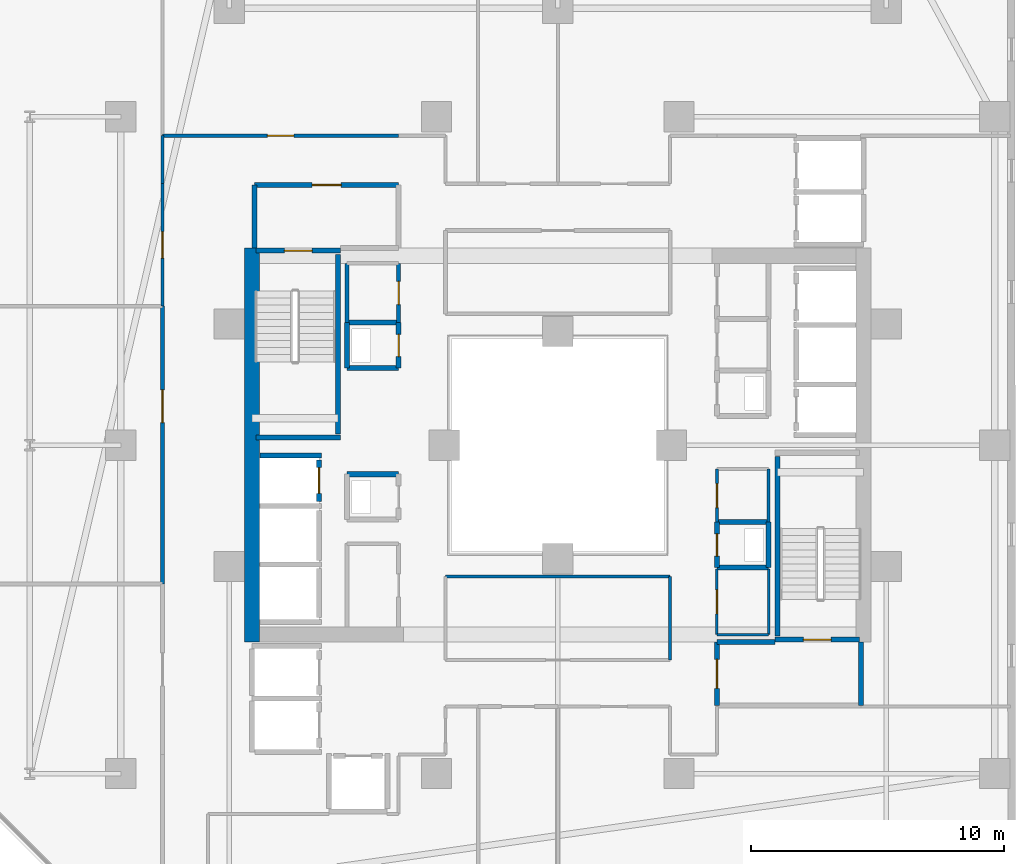
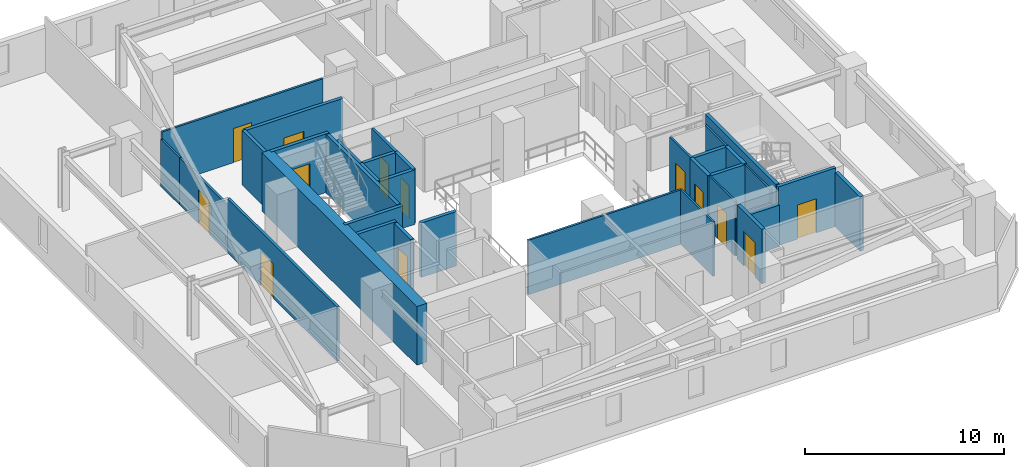
# One storey, part 22 of 31: 35 walls, 13 doors, 13 openings.
"""IFC4 building model written with IfcOpenShell, lengths in metres."""

from ifc_helpers import new_model, si_unit, direction, frame, frame_2d, origin, place, context, subcontext, project, spatial, rectangle, extrude, material, layer, layer_set, type_object, element, fill, save


model = new_model("IFC4")

# Units and contexts
model_context = context("Model", 3, precision=1e-05, world=origin(), true_north=direction((0.0, 1.0)))
body_context = subcontext(model_context, "Body", "Model", "MODEL_VIEW")
ifc_project = project(units=[si_unit("LENGTHUNIT", "METRE"), si_unit("AREAUNIT", "SQUARE_METRE"), si_unit("VOLUMEUNIT", "CUBIC_METRE"), si_unit("PLANEANGLEUNIT", "RADIAN"), si_unit("MASSUNIT", "GRAM", prefix="KILO")], contexts=[model_context])

# Site, building, storey
site_placement = place(None, origin())
site = spatial("IfcSite", under=ifc_project, at=site_placement, CompositionType="ELEMENT")
building_placement = place(site_placement, origin())
building = spatial("IfcBuilding", under=site, at=building_placement, Name="Thornwick Lancets Civic Towers", CompositionType="ELEMENT")
storey_placement = place(building_placement, frame((0.0, 0.0, 87.300048828125)))
storey = spatial("IfcBuildingStorey", under=building, at=storey_placement, Name="L22", CompositionType="ELEMENT", Elevation=87.300048828125)

# Wall, opening, door
ifc_material_1 = material(Name="Concrete blockwork C40/50", Category="masonry")
ifc_layer_1 = layer(ifc_material_1, 0.199951171875, Name="Concrete blockwork C40/50")
ifc_layer_set_1 = layer_set([ifc_layer_1], Name="Concrete blockwork C40/50")
wall_type_1 = type_object("IfcWallType", Name="WALL_COMP_200", PredefinedType="STANDARD", material=ifc_layer_set_1)
wall_1_placement = place(storey_placement, frame((79.050048828125, 24.780029296875, 0.0), z_axis=(0.0, 0.0, 1.0), x_axis=(0.0, 1.0, 0.0)))
wall_1 = element("IfcWall", 1, at=wall_1_placement, inside=storey, type_object=wall_type_1, Name="L22 Hoistway Front Wall FL-B2", PredefinedType="STANDARD", context=body_context, shape_type="SweptSolid", body=[
    extrude(rectangle(XDim=1.639892578125, YDim=0.199951171875, at=frame_2d((0.81982421875, 0.0))), origin(), (0.0, 0.0, 1.0), 3.33984375),
])
opening_1_placement = place(wall_1_placement, frame((0.31005859375, 0.0, 0.0)))
opening_1 = element("IfcOpeningElement", 2, at=opening_1_placement, cuts=wall_1, Name="Opening LD-FL-B2", PredefinedType="OPENING", context=body_context, shape_type="SweptSolid", body=[
    extrude(rectangle(XDim=1.02001953125, YDim=2.06005859375, at=frame_2d((0.510009765625, 1.030029296875))), frame((0.0, 0.10986328125, 0.0), z_axis=(0.0, -1.0, 0.0), x_axis=(1.0, 0.0, 0.0)), (0.0, 0.0, 1.0), 0.219970703125),
])
ifc_material_2 = material(Name="Brushed bronze stainless steel", Category="steel")
door_type_1 = type_object("IfcDoorType", Name="DOOR_LIFT_SLIDE", OperationType="SLIDING_TO_LEFT", PredefinedType="DOOR", material=ifc_material_2)
door_1_placement = place(opening_1_placement, origin())
door_1 = element("IfcDoor", 3, at=door_1_placement, inside=storey, type_object=door_type_1, Name="L22 Sliding Lift Landing Door LD-FL-B2", OperationType="SLIDING_TO_LEFT", OverallHeight=2.06005859375, OverallWidth=1.02001953125, PredefinedType="DOOR", context=body_context, shape_type="SweptSolid", body=[
    extrude(rectangle(XDim=1.02001953125, YDim=2.06005859375, at=frame_2d((0.510009765625, 1.030029296875))), frame((0.0, 0.02490234375, 0.0), z_axis=(0.0, -1.0, 0.0), x_axis=(1.0, 0.0, 0.0)), (0.0, 0.0, 1.0), 0.050048828125),
])
fill(opening_1, door_1)

# Walls
wall_2_placement = place(storey_placement, frame((76.7119140625, 26.60009765625, 0.0), z_axis=(0.0, 0.0, 1.0), x_axis=(1.0, 0.0, 0.0)))
element("IfcWall", 4, at=wall_2_placement, inside=storey, type_object=wall_type_1, Name="L22 Hoistway Shaft Wall FL-B2 N", PredefinedType="STANDARD", context=body_context, shape_type="SweptSolid", body=[
    extrude(rectangle(XDim=2.43603515625, YDim=0.199951171875, at=frame_2d((1.218017578125, 0.0))), origin(), (0.0, 0.0, 1.0), 3.33984375),
])
wall_3_placement = place(storey_placement, frame((100.5, 16.699951171875, 0.0), z_axis=(0.0, 0.0, 1.0), x_axis=(0.0, 1.0, 0.0)))
element("IfcWall", 5, at=wall_3_placement, inside=storey, type_object=wall_type_1, Name="L22 Partition L22-B-FFLOB1 E2", PredefinedType="STANDARD", context=body_context, shape_type="SweptSolid", body=[
    extrude(rectangle(XDim=2.5, YDim=0.199951171875, at=frame_2d((1.25, 0.0))), origin(), (0.0, 0.0, 1.0), 3.33984375),
])
wall_4_placement = place(storey_placement, frame((97.10009765625, 19.199951171875, 0.0), z_axis=(0.0, 0.0, 1.0), x_axis=(-1.0, 0.0, 0.0)))
element("IfcWall", 6, at=wall_4_placement, inside=storey, type_object=wall_type_1, Name="L22 Partition L22-B-FFLOB1 E3", PredefinedType="STANDARD", context=body_context, shape_type="SweptSolid", body=[
    extrude(rectangle(XDim=2.300048828125, YDim=0.199951171875, at=frame_2d((1.14990234375, 0.0))), origin(), (0.0, 0.0, 1.0), 2.544921875),
])

# Wall, opening, door
wall_5_placement = place(storey_placement, frame((94.800048828125, 19.199951171875, 0.0), z_axis=(0.0, 0.0, 1.0), x_axis=(0.0, -1.0, 0.0)))
wall_5 = element("IfcWall", 7, at=wall_5_placement, inside=storey, type_object=wall_type_1, Name="L22 Partition L22-B-FFLOB1 E4", PredefinedType="STANDARD", context=body_context, shape_type="SweptSolid", body=[
    extrude(rectangle(XDim=2.5, YDim=0.199951171875, at=frame_2d((1.25, 0.0))), origin(), (0.0, 0.0, 1.0), 3.33984375),
])
opening_2_placement = place(wall_5_placement, frame((0.675048828125, 0.0, 0.0)))
opening_2 = element("IfcOpeningElement", 8, at=opening_2_placement, cuts=wall_5, Name="Opening D-L22-1019", PredefinedType="OPENING", context=body_context, shape_type="SweptSolid", body=[
    extrude(rectangle(XDim=1.14990234375, YDim=2.10009765625, at=frame_2d((0.574951171875, 1.050048828125))), frame((0.0, 0.10986328125, 0.0), z_axis=(0.0, -1.0, 0.0), x_axis=(1.0, 0.0, 0.0)), (0.0, 0.0, 1.0), 0.219970703125),
])
ifc_material_3 = material(Name="Glazed fire-resisting steel", Category="steel")
door_type_2 = type_object("IfcDoorType", Name="DOOR_LOBBY_FD60", OperationType="NOTDEFINED", PredefinedType="DOOR", material=ifc_material_3)
door_2_placement = place(opening_2_placement, origin())
door_2 = element("IfcDoor", 9, at=door_2_placement, inside=storey, type_object=door_type_2, Name="L22 East Firefighting Lobby 1 Door", OperationType="SINGLE_SWING_RIGHT", OverallHeight=2.10009765625, OverallWidth=1.14990234375, PredefinedType="DOOR", context=body_context, shape_type="SweptSolid", body=[
    extrude(rectangle(XDim=1.14990234375, YDim=2.10009765625, at=frame_2d((0.574951171875, 1.050048828125))), frame((0.0, 0.02490234375, 0.0), z_axis=(0.0, -1.0, 0.0), x_axis=(1.0, 0.0, 0.0)), (0.0, 0.0, 1.0), 0.050048828125),
])
fill(opening_2, door_2)

wall_6_placement = place(storey_placement, frame((82.199951171875, 37.300048828125, 0.0), z_axis=(0.0, 0.0, 1.0), x_axis=(-1.0, 0.0, 0.0)))
wall_6 = element("IfcWall", 10, at=wall_6_placement, inside=storey, type_object=wall_type_1, Name="L22 Partition L22-B-FFLOB2 E3", PredefinedType="STANDARD", context=body_context, shape_type="SweptSolid", body=[
    extrude(rectangle(XDim=5.699951171875, YDim=0.199951171875, at=frame_2d((2.85009765625, 0.0))), origin(), (0.0, 0.0, 1.0), 3.33984375),
])
opening_3_placement = place(wall_6_placement, frame((2.27490234375, 0.0, 0.0)))
opening_3 = element("IfcOpeningElement", 11, at=opening_3_placement, cuts=wall_6, Name="Opening D-L22-1020", PredefinedType="OPENING", context=body_context, shape_type="SweptSolid", body=[
    extrude(rectangle(XDim=1.14990234375, YDim=2.10009765625, at=frame_2d((0.574951171875, 1.050048828125))), frame((0.0, 0.10986328125, 0.0), z_axis=(0.0, -1.0, 0.0), x_axis=(1.0, 0.0, 0.0)), (0.0, 0.0, 1.0), 0.219970703125),
])
door_3_placement = place(opening_3_placement, origin())
door_3 = element("IfcDoor", 12, at=door_3_placement, inside=storey, type_object=door_type_2, Name="L22 West Firefighting Lobby 2 Door", OperationType="SINGLE_SWING_LEFT", OverallHeight=2.10009765625, OverallWidth=1.14990234375, PredefinedType="DOOR", context=body_context, shape_type="SweptSolid", body=[
    extrude(rectangle(XDim=1.14990234375, YDim=2.10009765625, at=frame_2d((0.574951171875, 1.050048828125))), frame((0.0, 0.02490234375, 0.0), z_axis=(0.0, -1.0, 0.0), x_axis=(1.0, 0.0, 0.0)), (0.0, 0.0, 1.0), 0.050048828125),
])
fill(opening_3, door_3)

# Walls
wall_7_placement = place(storey_placement, frame((76.5, 37.300048828125, 0.0), z_axis=(0.0, 0.0, 1.0), x_axis=(0.0, -1.0, 0.0)))
element("IfcWall", 13, at=wall_7_placement, inside=storey, type_object=wall_type_1, Name="L22 Partition L22-B-FFLOB2 E4", PredefinedType="STANDARD", context=body_context, shape_type="SweptSolid", body=[
    extrude(rectangle(XDim=2.5, YDim=0.199951171875, at=frame_2d((1.25, 0.0))), origin(), (0.0, 0.0, 1.0), 3.33984375),
])
wall_8_placement = place(storey_placement, frame((94.800048828125, 22.14990234375, 0.0), z_axis=(0.0, 0.0, 1.0), x_axis=(1.0, 0.0, 0.0)))
element("IfcWall", 14, at=wall_8_placement, inside=storey, type_object=wall_type_1, Name="L22 Partition L22-B-RISER1 E1", PredefinedType="STANDARD", context=body_context, shape_type="SweptSolid", body=[
    extrude(rectangle(XDim=2.050048828125, YDim=0.199951171875, at=frame_2d((1.02490234375, 0.0))), origin(), (0.0, 0.0, 1.0), 3.33984375),
])
wall_9_placement = place(storey_placement, frame((96.85009765625, 22.14990234375, 0.0), z_axis=(0.0, 0.0, 1.0), x_axis=(0.0, 1.0, 0.0)))
element("IfcWall", 15, at=wall_9_placement, inside=storey, type_object=wall_type_1, Name="L22 Partition L22-B-RISER1 E2", PredefinedType="STANDARD", context=body_context, shape_type="SweptSolid", body=[
    extrude(rectangle(XDim=1.800048828125, YDim=0.199951171875, at=frame_2d((0.89990234375, 0.0))), origin(), (0.0, 0.0, 1.0), 3.33984375),
])
wall_10_placement = place(storey_placement, frame((96.85009765625, 23.949951171875, 0.0), z_axis=(0.0, 0.0, 1.0), x_axis=(-1.0, 0.0, 0.0)))
element("IfcWall", 16, at=wall_10_placement, inside=storey, type_object=wall_type_1, Name="L22 Partition L22-B-RISER1 E3", PredefinedType="STANDARD", context=body_context, shape_type="SweptSolid", body=[
    extrude(rectangle(XDim=2.050048828125, YDim=0.199951171875, at=frame_2d((1.02490234375, 0.0))), origin(), (0.0, 0.0, 1.0), 3.33984375),
])

# Wall, opening, door
wall_11_placement = place(storey_placement, frame((94.800048828125, 23.949951171875, 0.0), z_axis=(0.0, 0.0, 1.0), x_axis=(0.0, -1.0, 0.0)))
wall_11 = element("IfcWall", 17, at=wall_11_placement, inside=storey, type_object=wall_type_1, Name="L22 Partition L22-B-RISER1 E4", PredefinedType="STANDARD", context=body_context, shape_type="SweptSolid", body=[
    extrude(rectangle(XDim=1.800048828125, YDim=0.199951171875, at=frame_2d((0.89990234375, 0.0))), origin(), (0.0, 0.0, 1.0), 3.33984375),
])
opening_4_placement = place(wall_11_placement, frame((0.4599609375, 0.0, 0.0)))
opening_4 = element("IfcOpeningElement", 18, at=opening_4_placement, cuts=wall_11, Name="Opening D-L22-1022", PredefinedType="OPENING", context=body_context, shape_type="SweptSolid", body=[
    extrude(rectangle(XDim=0.8798828125, YDim=2.0400390625, at=frame_2d((0.43994140625, 1.02001953125))), frame((0.0, 0.10986328125, 0.0), z_axis=(0.0, -1.0, 0.0), x_axis=(1.0, 0.0, 0.0)), (0.0, 0.0, 1.0), 0.219970703125),
])
ifc_material_4 = material(Name="Steel riser access doorset", Category="steel")
door_type_3 = type_object("IfcDoorType", Name="DOOR_RISER_850", OperationType="NOTDEFINED", PredefinedType="DOOR", material=ifc_material_4)
door_4_placement = place(opening_4_placement, origin())
door_4 = element("IfcDoor", 19, at=door_4_placement, inside=storey, type_object=door_type_3, Name="L22 East Electrical Riser 1 Door", OperationType="SINGLE_SWING_LEFT", OverallHeight=2.0400390625, OverallWidth=0.8798828125, PredefinedType="DOOR", context=body_context, shape_type="SweptSolid", body=[
    extrude(rectangle(XDim=0.8798828125, YDim=2.0400390625, at=frame_2d((0.43994140625, 1.02001953125))), frame((0.0, 0.02490234375, 0.0), z_axis=(0.0, -1.0, 0.0), x_axis=(1.0, 0.0, 0.0)), (0.0, 0.0, 1.0), 0.050048828125),
])
fill(opening_4, door_4)

# Walls
for number, where, z_axis, x_axis, name in (
    (20, (82.199951171875, 25.85009765625, 0.0), (0.0, 0.0, 1.0), (-1.0, 0.0, 0.0), "L22 Partition L22-B-DUCT2 E3"),
    (21, (80.14990234375, 30.050048828125, 0.0), (0.0, 0.0, 1.0), (1.0, 0.0, 0.0), "L22 Partition L22-B-RISER2 E1"),
):
    element("IfcWall", number, at=place(storey_placement, frame(where, z_axis=z_axis, x_axis=x_axis)), inside=storey, type_object=wall_type_1, Name=name, PredefinedType="STANDARD", context=body_context, shape_type="SweptSolid", body=[
        extrude(rectangle(XDim=2.050048828125, YDim=0.199951171875, at=frame_2d((1.02490234375, 0.0))), origin(), (0.0, 0.0, 1.0), 3.33984375),
    ])

# Wall, opening, door
wall_12_placement = place(storey_placement, frame((82.199951171875, 30.050048828125, 0.0), z_axis=(0.0, 0.0, 1.0), x_axis=(0.0, 1.0, 0.0)))
wall_12 = element("IfcWall", 22, at=wall_12_placement, inside=storey, type_object=wall_type_1, Name="L22 Partition L22-B-RISER2 E2", PredefinedType="STANDARD", context=body_context, shape_type="SweptSolid", body=[
    extrude(rectangle(XDim=1.800048828125, YDim=0.199951171875, at=frame_2d((0.89990234375, 0.0))), origin(), (0.0, 0.0, 1.0), 3.33984375),
])
opening_5_placement = place(wall_12_placement, frame((0.4599609375, 0.0, 0.0)))
opening_5 = element("IfcOpeningElement", 23, at=opening_5_placement, cuts=wall_12, Name="Opening D-L22-1024", PredefinedType="OPENING", context=body_context, shape_type="SweptSolid", body=[
    extrude(rectangle(XDim=0.8798828125, YDim=2.0400390625, at=frame_2d((0.43994140625, 1.02001953125))), frame((0.0, 0.10986328125, 0.0), z_axis=(0.0, -1.0, 0.0), x_axis=(1.0, 0.0, 0.0)), (0.0, 0.0, 1.0), 0.219970703125),
])
door_5_placement = place(opening_5_placement, origin())
door_5 = element("IfcDoor", 24, at=door_5_placement, inside=storey, type_object=door_type_3, Name="L22 West Service Riser 2 Door", OperationType="SINGLE_SWING_LEFT", OverallHeight=2.0400390625, OverallWidth=0.8798828125, PredefinedType="DOOR", context=body_context, shape_type="SweptSolid", body=[
    extrude(rectangle(XDim=0.8798828125, YDim=2.0400390625, at=frame_2d((0.43994140625, 1.02001953125))), frame((0.0, 0.02490234375, 0.0), z_axis=(0.0, -1.0, 0.0), x_axis=(1.0, 0.0, 0.0)), (0.0, 0.0, 1.0), 0.050048828125),
])
fill(opening_5, door_5)

# Walls
wall_13_placement = place(storey_placement, frame((82.199951171875, 31.85009765625, 0.0), z_axis=(0.0, 0.0, 1.0), x_axis=(-1.0, 0.0, 0.0)))
element("IfcWall", 25, at=wall_13_placement, inside=storey, type_object=wall_type_1, Name="L22 Partition L22-B-RISER2 E3", PredefinedType="STANDARD", context=body_context, shape_type="SweptSolid", body=[
    extrude(rectangle(XDim=2.050048828125, YDim=0.199951171875, at=frame_2d((1.02490234375, 0.0))), origin(), (0.0, 0.0, 1.0), 3.33984375),
])
wall_14_placement = place(storey_placement, frame((80.14990234375, 31.85009765625, 0.0), z_axis=(0.0, 0.0, 1.0), x_axis=(0.0, -1.0, 0.0)))
element("IfcWall", 26, at=wall_14_placement, inside=storey, type_object=wall_type_1, Name="L22 Partition L22-B-RISER2 E4", PredefinedType="STANDARD", context=body_context, shape_type="SweptSolid", body=[
    extrude(rectangle(XDim=1.800048828125, YDim=0.199951171875, at=frame_2d((0.89990234375, 0.0))), origin(), (0.0, 0.0, 1.0), 3.33984375),
])
ifc_material_5 = material(Name="Concrete C60/75", Category="concrete")
ifc_layer_2 = layer(ifc_material_5, 0.60009765625, Name="Concrete C60/75")
ifc_layer_set_2 = layer_set([ifc_layer_2], Name="Concrete C60/75")
wall_type_2 = type_object("IfcWallType", Name="WALL_CORE_600", PredefinedType="SHEAR", material=ifc_layer_set_2)
wall_15_placement = place(storey_placement, frame((76.39990234375, 19.199951171875, 0.0), z_axis=(0.0, 0.0, 1.0), x_axis=(0.0, 1.0, 0.0)))
element("IfcWall", 27, at=wall_15_placement, inside=storey, type_object=wall_type_2, Name="L22 Split Core B2 Shear Wall W", PredefinedType="SHEAR", context=body_context, shape_type="SweptSolid", body=[
    extrude(rectangle(XDim=15.60009765625, YDim=0.60009765625, at=frame_2d((7.800048828125, 0.0))), origin(), (0.0, 0.0, 1.0), 3.599853515625),
])
ifc_material_6 = material(Name="Lightweight cellular office partition")
ifc_layer_3 = layer(ifc_material_6, 0.10009765625, Name="Lightweight cellular office partition")
ifc_layer_set_3 = layer_set([ifc_layer_3], Name="Lightweight cellular office partition")
wall_type_3 = type_object("IfcWallType", Name="WALL_PART_100", PredefinedType="PARTITIONING", material=ifc_layer_set_3)
wall_16_placement = place(storey_placement, frame((94.800048828125, 19.5, 0.0), z_axis=(0.0, 0.0, 1.0), x_axis=(1.0, 0.0, 0.0)))
element("IfcWall", 28, at=wall_16_placement, inside=storey, type_object=wall_type_3, Name="L22 Partition L22-B-CLN E1", PredefinedType="PARTITIONING", context=body_context, shape_type="SweptSolid", body=[
    extrude(rectangle(XDim=2.050048828125, YDim=0.10009765625, at=frame_2d((1.02490234375, 0.0))), origin(), (0.0, 0.0, 1.0), 2.544921875),
])
wall_17_placement = place(storey_placement, frame((96.85009765625, 19.5, 0.0), z_axis=(0.0, 0.0, 1.0), x_axis=(0.0, 1.0, 0.0)))
element("IfcWall", 29, at=wall_17_placement, inside=storey, type_object=wall_type_3, Name="L22 Partition L22-B-CLN E2", PredefinedType="PARTITIONING", context=body_context, shape_type="SweptSolid", body=[
    extrude(rectangle(XDim=2.60009765625, YDim=0.10009765625, at=frame_2d((1.300048828125, 0.0))), origin(), (0.0, 0.0, 1.0), 3.33984375),
])

# Wall, opening, door
wall_18_placement = place(storey_placement, frame((94.800048828125, 22.10009765625, 0.0), z_axis=(0.0, 0.0, 1.0), x_axis=(0.0, -1.0, 0.0)))
wall_18 = element("IfcWall", 30, at=wall_18_placement, inside=storey, type_object=wall_type_3, Name="L22 Partition L22-B-CLN E4", PredefinedType="PARTITIONING", context=body_context, shape_type="SweptSolid", body=[
    extrude(rectangle(XDim=2.60009765625, YDim=0.10009765625, at=frame_2d((1.300048828125, 0.0))), origin(), (0.0, 0.0, 1.0), 3.33984375),
])
opening_6_placement = place(wall_18_placement, frame((0.824951171875, 0.0, 0.0)))
opening_6 = element("IfcOpeningElement", 31, at=opening_6_placement, cuts=wall_18, Name="Opening D-L22-1025", PredefinedType="OPENING", context=body_context, shape_type="SweptSolid", body=[
    extrude(rectangle(XDim=0.949951171875, YDim=2.10009765625, at=frame_2d((0.47509765625, 1.050048828125))), frame((0.0, 0.06005859375, 0.0), z_axis=(0.0, -1.0, 0.0), x_axis=(1.0, 0.0, 0.0)), (0.0, 0.0, 1.0), 0.1201171875),
])
ifc_material_7 = material(Name="European oak acoustic doorset")
door_type_4 = type_object("IfcDoorType", Name="DOOR_OFFICE_950", OperationType="NOTDEFINED", PredefinedType="DOOR", material=ifc_material_7)
door_6_placement = place(opening_6_placement, origin())
door_6 = element("IfcDoor", 32, at=door_6_placement, inside=storey, type_object=door_type_4, Name="L22 Tower B Cleaners Store Door", OperationType="SINGLE_SWING_RIGHT", OverallHeight=2.10009765625, OverallWidth=0.949951171875, PredefinedType="DOOR", context=body_context, shape_type="SweptSolid", body=[
    extrude(rectangle(XDim=0.949951171875, YDim=2.10009765625, at=frame_2d((0.47509765625, 1.050048828125))), frame((0.0, 0.02490234375, 0.0), z_axis=(0.0, -1.0, 0.0), x_axis=(1.0, 0.0, 0.0)), (0.0, 0.0, 1.0), 0.050048828125),
])
fill(opening_6, door_6)

ifc_material_8 = material(Name="Acoustic gypsum board partition")
ifc_layer_4 = layer(ifc_material_8, 0.1201171875, Name="Acoustic gypsum board partition")
ifc_layer_set_4 = layer_set([ifc_layer_4], Name="Acoustic gypsum board partition")
wall_type_4 = type_object("IfcWallType", Name="WALL_PART_120", PredefinedType="PARTITIONING", material=ifc_layer_set_4)
wall_19_placement = place(storey_placement, frame((94.800048828125, 23.949951171875, 0.0), z_axis=(0.0, 0.0, 1.0), x_axis=(0.0, 1.0, 0.0)))
wall_19 = element("IfcWall", 33, at=wall_19_placement, inside=storey, type_object=wall_type_4, Name="L22 Partition L22-B-ITR E1", PredefinedType="PARTITIONING", context=body_context, shape_type="SweptSolid", body=[
    extrude(rectangle(XDim=2.10009765625, YDim=0.1201171875, at=frame_2d((1.050048828125, 0.0))), origin(), (0.0, 0.0, 1.0), 3.33984375),
])
opening_7_placement = place(wall_19_placement, frame((0.574951171875, 0.0, 0.0)))
opening_7 = element("IfcOpeningElement", 34, at=opening_7_placement, cuts=wall_19, Name="Opening D-L22-1026", PredefinedType="OPENING", context=body_context, shape_type="SweptSolid", body=[
    extrude(rectangle(XDim=0.949951171875, YDim=2.10009765625, at=frame_2d((0.47509765625, 1.050048828125))), frame((0.0, 0.070068359375, 0.0), z_axis=(0.0, -1.0, 0.0), x_axis=(1.0, 0.0, 0.0)), (0.0, 0.0, 1.0), 0.14013671875),
])
door_7_placement = place(opening_7_placement, origin())
door_7 = element("IfcDoor", 35, at=door_7_placement, inside=storey, type_object=door_type_4, Name="L22 Tower B Comms Patch Room Door", OperationType="SINGLE_SWING_LEFT", OverallHeight=2.10009765625, OverallWidth=0.949951171875, PredefinedType="DOOR", context=body_context, shape_type="SweptSolid", body=[
    extrude(rectangle(XDim=0.949951171875, YDim=2.10009765625, at=frame_2d((0.47509765625, 1.050048828125))), frame((0.0, 0.02490234375, 0.0), z_axis=(0.0, -1.0, 0.0), x_axis=(1.0, 0.0, 0.0)), (0.0, 0.0, 1.0), 0.050048828125),
])
fill(opening_7, door_7)

# Wall
wall_20_placement = place(storey_placement, frame((96.85009765625, 26.050048828125, 0.0), z_axis=(0.0, 0.0, 1.0), x_axis=(0.0, -1.0, 0.0)))
element("IfcWall", 36, at=wall_20_placement, inside=storey, type_object=wall_type_4, Name="L22 Partition L22-B-ITR E3", PredefinedType="PARTITIONING", context=body_context, shape_type="SweptSolid", body=[
    extrude(rectangle(XDim=2.10009765625, YDim=0.1201171875, at=frame_2d((1.050048828125, 0.0))), origin(), (0.0, 0.0, 1.0), 3.33984375),
])

# Wall, opening, door
wall_21_placement = place(storey_placement, frame((82.199951171875, 39.25, 0.0), z_axis=(0.0, 0.0, 1.0), x_axis=(-1.0, 0.0, 0.0)))
wall_21 = element("IfcWall", 37, at=wall_21_placement, inside=storey, type_object=wall_type_4, Name="L22 Partition L22-B-E3 E3", PredefinedType="PARTITIONING", context=body_context, shape_type="SweptSolid", body=[
    extrude(rectangle(XDim=9.349853515625, YDim=0.1201171875, at=frame_2d((4.6748046875, 0.0))), origin(), (0.0, 0.0, 1.0), 3.33984375),
])
opening_8_placement = place(wall_21_placement, frame((4.14990234375, 0.0, 0.0)))
opening_8 = element("IfcOpeningElement", 38, at=opening_8_placement, cuts=wall_21, Name="Opening D-L22-1047", PredefinedType="OPENING", context=body_context, shape_type="SweptSolid", body=[
    extrude(rectangle(XDim=1.050048828125, YDim=2.10009765625, at=frame_2d((0.52490234375, 1.050048828125))), frame((0.0, 0.070068359375, 0.0), z_axis=(0.0, -1.0, 0.0), x_axis=(1.0, 0.0, 0.0)), (0.0, 0.0, 1.0), 0.14013671875),
])
ifc_material_9 = material(Name="Glazed European oak executive doorset")
door_type_5 = type_object("IfcDoorType", Name="DOOR_OFFICE_1050", OperationType="NOTDEFINED", PredefinedType="DOOR", material=ifc_material_9)
door_8_placement = place(opening_8_placement, origin())
door_8 = element("IfcDoor", 39, at=door_8_placement, inside=storey, type_object=door_type_5, Name="L22 Tower B Civic Seminar Room Door", OperationType="SINGLE_SWING_RIGHT", OverallHeight=2.10009765625, OverallWidth=1.050048828125, PredefinedType="DOOR", context=body_context, shape_type="SweptSolid", body=[
    extrude(rectangle(XDim=1.050048828125, YDim=2.10009765625, at=frame_2d((0.52490234375, 1.050048828125))), frame((0.0, 0.02490234375, 0.0), z_axis=(0.0, -1.0, 0.0), x_axis=(1.0, 0.0, 0.0)), (0.0, 0.0, 1.0), 0.050048828125),
])
fill(opening_8, door_8)

# Walls
wall_22_placement = place(storey_placement, frame((84.050048828125, 21.800048828125, 0.0), z_axis=(0.0, 0.0, 1.0), x_axis=(1.0, 0.0, 0.0)))
element("IfcWall", 40, at=wall_22_placement, inside=storey, type_object=wall_type_4, Name="L22 Partition L22-B-ATR-W E2", PredefinedType="PARTITIONING", context=body_context, shape_type="SweptSolid", body=[
    extrude(rectangle(XDim=8.89990234375, YDim=0.1201171875, at=frame_2d((4.449951171875, 0.0))), origin(), (0.0, 0.0, 1.0), 3.33984375),
])
wall_23_placement = place(storey_placement, frame((92.949951171875, 21.800048828125, 0.0), z_axis=(0.0, 0.0, 1.0), x_axis=(0.0, -1.0, 0.0)))
element("IfcWall", 41, at=wall_23_placement, inside=storey, type_object=wall_type_4, Name="L22 Partition L22-B-ATR-W E3", PredefinedType="PARTITIONING", context=body_context, shape_type="SweptSolid", body=[
    extrude(rectangle(XDim=3.300048828125, YDim=0.1201171875, at=frame_2d((1.64990234375, 0.0))), origin(), (0.0, 0.0, 1.0), 3.33984375),
])
wall_24_placement = place(storey_placement, frame((72.85009765625, 39.25, 0.0), z_axis=(0.0, 0.0, 1.0), x_axis=(0.0, -1.0, 0.0)))
element("IfcWall", 42, at=wall_24_placement, inside=storey, type_object=wall_type_4, Name="L22 Partition L22-B-N-OFF E5", PredefinedType="PARTITIONING", context=body_context, shape_type="SweptSolid", body=[
    extrude(rectangle(XDim=1.89990234375, YDim=0.1201171875, at=frame_2d((0.949951171875, 0.0))), origin(), (0.0, 0.0, 1.0), 2.89501953125),
])

# Wall, opening, door
wall_25_placement = place(storey_placement, frame((72.85009765625, 37.35009765625, 0.0), z_axis=(0.0, 0.0, 1.0), x_axis=(0.0, -1.0, 0.0)))
wall_25 = element("IfcWall", 43, at=wall_25_placement, inside=storey, type_object=wall_type_4, Name="L22 Partition L22-B-N-OFF E6", PredefinedType="PARTITIONING", context=body_context, shape_type="SweptSolid", body=[
    extrude(rectangle(XDim=4.85009765625, YDim=0.1201171875, at=frame_2d((2.425048828125, 0.0))), origin(), (0.0, 0.0, 1.0), 2.89501953125),
])
opening_9_placement = place(wall_25_placement, frame((1.89990234375, 0.0, 0.0)))
opening_9 = element("IfcOpeningElement", 44, at=opening_9_placement, cuts=wall_25, Name="Opening D-L22-1052", PredefinedType="OPENING", context=body_context, shape_type="SweptSolid", body=[
    extrude(rectangle(XDim=1.050048828125, YDim=2.10009765625, at=frame_2d((0.52490234375, 1.050048828125))), frame((0.0, 0.070068359375, 0.0), z_axis=(0.0, -1.0, 0.0), x_axis=(1.0, 0.0, 0.0)), (0.0, 0.0, 1.0), 0.14013671875),
])
door_9_placement = place(opening_9_placement, origin())
door_9 = element("IfcDoor", 45, at=door_9_placement, inside=storey, type_object=door_type_5, Name="L22 Tower B North-East Policy Office Door", OperationType="SINGLE_SWING_LEFT", OverallHeight=2.10009765625, OverallWidth=1.050048828125, PredefinedType="DOOR", context=body_context, shape_type="SweptSolid", body=[
    extrude(rectangle(XDim=1.050048828125, YDim=2.10009765625, at=frame_2d((0.52490234375, 1.050048828125))), frame((0.0, 0.02490234375, 0.0), z_axis=(0.0, -1.0, 0.0), x_axis=(1.0, 0.0, 0.0)), (0.0, 0.0, 1.0), 0.050048828125),
])
fill(opening_9, door_9)

# Wall
ifc_material_10 = material(Name="Twin-stud acoustic gypsum board")
ifc_layer_5 = layer(ifc_material_10, 0.14990234375, Name="Twin-stud acoustic gypsum board")
ifc_layer_set_5 = layer_set([ifc_layer_5], Name="Twin-stud acoustic gypsum board")
wall_type_5 = type_object("IfcWallType", Name="WALL_PART_150", PredefinedType="PARTITIONING", material=ifc_layer_set_5)
wall_26_placement = place(storey_placement, frame((80.14990234375, 31.85009765625, 0.0), z_axis=(0.0, 0.0, 1.0), x_axis=(0.0, 1.0, 0.0)))
element("IfcWall", 46, at=wall_26_placement, inside=storey, type_object=wall_type_5, Name="L22 Partition L22-B-FWC E1", PredefinedType="PARTITIONING", context=body_context, shape_type="SweptSolid", body=[
    extrude(rectangle(XDim=2.349853515625, YDim=0.14990234375, at=frame_2d((1.1748046875, 0.0))), origin(), (0.0, 0.0, 1.0), 3.33984375),
])

# Wall, opening, door
wall_27_placement = place(storey_placement, frame((82.199951171875, 34.199951171875, 0.0), z_axis=(0.0, 0.0, 1.0), x_axis=(0.0, -1.0, 0.0)))
wall_27 = element("IfcWall", 47, at=wall_27_placement, inside=storey, type_object=wall_type_5, Name="L22 Partition L22-B-FWC E3", PredefinedType="PARTITIONING", context=body_context, shape_type="SweptSolid", body=[
    extrude(rectangle(XDim=2.349853515625, YDim=0.14990234375, at=frame_2d((1.1748046875, 0.0))), origin(), (0.0, 0.0, 1.0), 3.33984375),
])
opening_10_placement = place(wall_27_placement, frame((0.715087890625, 0.0, 0.0)))
opening_10 = element("IfcOpeningElement", 48, at=opening_10_placement, cuts=wall_27, Name="Opening D-L22-1030", PredefinedType="OPENING", context=body_context, shape_type="SweptSolid", body=[
    extrude(rectangle(XDim=0.919921875, YDim=2.080078125, at=frame_2d((0.4599609375, 1.0400390625))), frame((0.0, 0.0849609375, 0.0), z_axis=(0.0, -1.0, 0.0), x_axis=(1.0, 0.0, 0.0)), (0.0, 0.0, 1.0), 0.169921875),
])
ifc_material_11 = material(Name="Moisture-resistant oak doorset")
door_type_6 = type_object("IfcDoorType", Name="DOOR_WC_900", OperationType="NOTDEFINED", PredefinedType="DOOR", material=ifc_material_11)
door_10_placement = place(opening_10_placement, origin())
door_10 = element("IfcDoor", 49, at=door_10_placement, inside=storey, type_object=door_type_6, Name="L22 Tower B Female WC Door", OperationType="SINGLE_SWING_LEFT", OverallHeight=2.080078125, OverallWidth=0.919921875, PredefinedType="DOOR", context=body_context, shape_type="SweptSolid", body=[
    extrude(rectangle(XDim=0.919921875, YDim=2.080078125, at=frame_2d((0.4599609375, 1.0400390625))), frame((0.0, 0.02490234375, 0.0), z_axis=(0.0, -1.0, 0.0), x_axis=(1.0, 0.0, 0.0)), (0.0, 0.0, 1.0), 0.050048828125),
])
fill(opening_10, door_10)

wall_28_placement = place(storey_placement, frame((72.85009765625, 32.5, 0.0), z_axis=(0.0, 0.0, 1.0), x_axis=(0.0, -1.0, 0.0)))
wall_28 = element("IfcWall", 50, at=wall_28_placement, inside=storey, type_object=wall_type_5, Name="L22 Partition L22-B-N-MEET E4", PredefinedType="PARTITIONING", context=body_context, shape_type="SweptSolid", body=[
    extrude(rectangle(XDim=11.0, YDim=0.14990234375, at=frame_2d((5.5, 0.0))), origin(), (0.0, 0.0, 1.0), 3.33984375),
])
opening_11_placement = place(wall_28_placement, frame((3.31005859375, 0.0, 0.0)))
opening_11 = element("IfcOpeningElement", 51, at=opening_11_placement, cuts=wall_28, Name="Opening D-L22-1051", PredefinedType="OPENING", context=body_context, shape_type="SweptSolid", body=[
    extrude(rectangle(XDim=1.300048828125, YDim=2.1201171875, at=frame_2d((0.64990234375, 1.06005859375))), frame((0.0, 0.0849609375, 0.0), z_axis=(0.0, -1.0, 0.0), x_axis=(1.0, 0.0, 0.0)), (0.0, 0.0, 1.0), 0.169921875),
])
ifc_material_12 = material(Name="Acoustic oak leaf-and-a-half doorset")
door_type_7 = type_object("IfcDoorType", Name="DOOR_MEET_1300", OperationType="DOUBLE_DOOR_SINGLE_SWING", PredefinedType="DOOR", material=ifc_material_12)
door_11_placement = place(opening_11_placement, origin())
door_11 = element("IfcDoor", 52, at=door_11_placement, inside=storey, type_object=door_type_7, Name="L22 Tower B North Briefing Chamber Door", OperationType="DOUBLE_DOOR_SINGLE_SWING", OverallHeight=2.1201171875, OverallWidth=1.300048828125, PredefinedType="DOOR", context=body_context, shape_type="SweptSolid", body=[
    extrude(rectangle(XDim=1.300048828125, YDim=2.1201171875, at=frame_2d((0.64990234375, 1.06005859375))), frame((0.0, 0.02490234375, 0.0), z_axis=(0.0, -1.0, 0.0), x_axis=(1.0, 0.0, 0.0)), (0.0, 0.0, 1.0), 0.050048828125),
])
fill(opening_11, door_11)

ifc_material_13 = material(Name="Concrete C40/50", Category="concrete")
ifc_layer_6 = layer(ifc_material_13, 0.199951171875, Name="Concrete C40/50")
ifc_layer_set_6 = layer_set([ifc_layer_6], Name="Concrete C40/50")
wall_type_6 = type_object("IfcWallType", Name="WALL_SHAFT_200", PredefinedType="SHEAR", material=ifc_layer_set_6)
wall_29_placement = place(storey_placement, frame((100.449951171875, 19.300048828125, 0.0), z_axis=(0.0, 0.0, 1.0), x_axis=(-1.0, 0.0, 0.0)))
wall_29 = element("IfcWall", 53, at=wall_29_placement, inside=storey, type_object=wall_type_6, Name="L22 ST-B1 Fire Stair Core Wall NEAR", PredefinedType="SHEAR", context=body_context, shape_type="SweptSolid", body=[
    extrude(rectangle(XDim=3.349853515625, YDim=0.199951171875, at=frame_2d((1.6748046875, 0.0))), origin(), (0.0, 0.0, 1.0), 3.599853515625),
])
opening_12_placement = place(wall_29_placement, frame((1.125, 0.0, 0.0)))
opening_12 = element("IfcOpeningElement", 54, at=opening_12_placement, cuts=wall_29, Name="Opening D-ST-B1-L22", PredefinedType="OPENING", context=body_context, shape_type="SweptSolid", body=[
    extrude(rectangle(XDim=1.10009765625, YDim=2.10009765625, at=frame_2d((0.550048828125, 1.050048828125))), frame((0.0, 0.10986328125, 0.0), z_axis=(0.0, -1.0, 0.0), x_axis=(1.0, 0.0, 0.0)), (0.0, 0.0, 1.0), 0.219970703125),
])
ifc_material_14 = material(Name="Fire-resisting steel and hardwood", Category="steel")
door_type_8 = type_object("IfcDoorType", Name="DOOR_STAIR_FD60", OperationType="NOTDEFINED", PredefinedType="DOOR", material=ifc_material_14)
door_12_placement = place(opening_12_placement, origin())
door_12 = element("IfcDoor", 55, at=door_12_placement, inside=storey, type_object=door_type_8, Name="L22 ST-B1 Exit Stair Door", OperationType="SINGLE_SWING_RIGHT", OverallHeight=2.10009765625, OverallWidth=1.10009765625, PredefinedType="DOOR", context=body_context, shape_type="SweptSolid", body=[
    extrude(rectangle(XDim=1.10009765625, YDim=2.10009765625, at=frame_2d((0.550048828125, 1.050048828125))), frame((0.0, 0.02490234375, 0.0), z_axis=(0.0, -1.0, 0.0), x_axis=(1.0, 0.0, 0.0)), (0.0, 0.0, 1.0), 0.050048828125),
])
fill(opening_12, door_12)

# Wall
wall_30_placement = place(storey_placement, frame((97.202880859375, 26.550048828125, 0.0), z_axis=(0.0, 0.0, 1.0), x_axis=(0.0, -1.0, 0.0)))
element("IfcWall", 56, at=wall_30_placement, inside=storey, type_object=wall_type_6, Name="L22 ST-B1 Fire Stair Core Wall RIGHT", PredefinedType="SHEAR", context=body_context, shape_type="SweptSolid", body=[
    extrude(rectangle(XDim=7.10009765625, YDim=0.199951171875, at=frame_2d((3.550048828125, 0.0))), origin(), (0.0, 0.0, 1.0), 3.599853515625),
])

# Wall, opening, door
wall_31_placement = place(storey_placement, frame((76.550048828125, 34.699951171875, 0.0), z_axis=(0.0, 0.0, 1.0), x_axis=(1.0, 0.0, 0.0)))
wall_31 = element("IfcWall", 57, at=wall_31_placement, inside=storey, type_object=wall_type_6, Name="L22 ST-B2 Fire Stair Core Wall NEAR", PredefinedType="SHEAR", context=body_context, shape_type="SweptSolid", body=[
    extrude(rectangle(XDim=3.349853515625, YDim=0.199951171875, at=frame_2d((1.6748046875, 0.0))), origin(), (0.0, 0.0, 1.0), 3.599853515625),
])
opening_13_placement = place(wall_31_placement, frame((1.125, 0.0, 0.0)))
opening_13 = element("IfcOpeningElement", 58, at=opening_13_placement, cuts=wall_31, Name="Opening D-ST-B2-L22", PredefinedType="OPENING", context=body_context, shape_type="SweptSolid", body=[
    extrude(rectangle(XDim=1.10009765625, YDim=2.10009765625, at=frame_2d((0.550048828125, 1.050048828125))), frame((0.0, 0.10986328125, 0.0), z_axis=(0.0, -1.0, 0.0), x_axis=(1.0, 0.0, 0.0)), (0.0, 0.0, 1.0), 0.219970703125),
])
door_13_placement = place(opening_13_placement, origin())
door_13 = element("IfcDoor", 59, at=door_13_placement, inside=storey, type_object=door_type_8, Name="L22 ST-B2 Exit Stair Door", OperationType="SINGLE_SWING_LEFT", OverallHeight=2.10009765625, OverallWidth=1.10009765625, PredefinedType="DOOR", context=body_context, shape_type="SweptSolid", body=[
    extrude(rectangle(XDim=1.10009765625, YDim=2.10009765625, at=frame_2d((0.550048828125, 1.050048828125))), frame((0.0, 0.02490234375, 0.0), z_axis=(0.0, -1.0, 0.0), x_axis=(1.0, 0.0, 0.0)), (0.0, 0.0, 1.0), 0.050048828125),
])
fill(opening_13, door_13)

# Walls
wall_32_placement = place(storey_placement, frame((79.89990234375, 27.300048828125, 0.0), z_axis=(0.0, 0.0, 1.0), x_axis=(-1.0, 0.0, 0.0)))
element("IfcWall", 60, at=wall_32_placement, inside=storey, type_object=wall_type_6, Name="L22 ST-B2 Fire Stair Core Wall FAR", PredefinedType="SHEAR", context=body_context, shape_type="SweptSolid", body=[
    extrude(rectangle(XDim=3.349853515625, YDim=0.199951171875, at=frame_2d((1.6748046875, 0.0))), origin(), (0.0, 0.0, 1.0), 3.599853515625),
])
wall_33_placement = place(storey_placement, frame((79.797119140625, 27.449951171875, 0.0), z_axis=(0.0, 0.0, 1.0), x_axis=(0.0, 1.0, 0.0)))
element("IfcWall", 61, at=wall_33_placement, inside=storey, type_object=wall_type_6, Name="L22 ST-B2 Fire Stair Core Wall RIGHT", PredefinedType="SHEAR", context=body_context, shape_type="SweptSolid", body=[
    extrude(rectangle(XDim=7.10009765625, YDim=0.199951171875, at=frame_2d((3.550048828125, 0.0))), origin(), (0.0, 0.0, 1.0), 3.599853515625),
])

save(model, "model.ifc")
